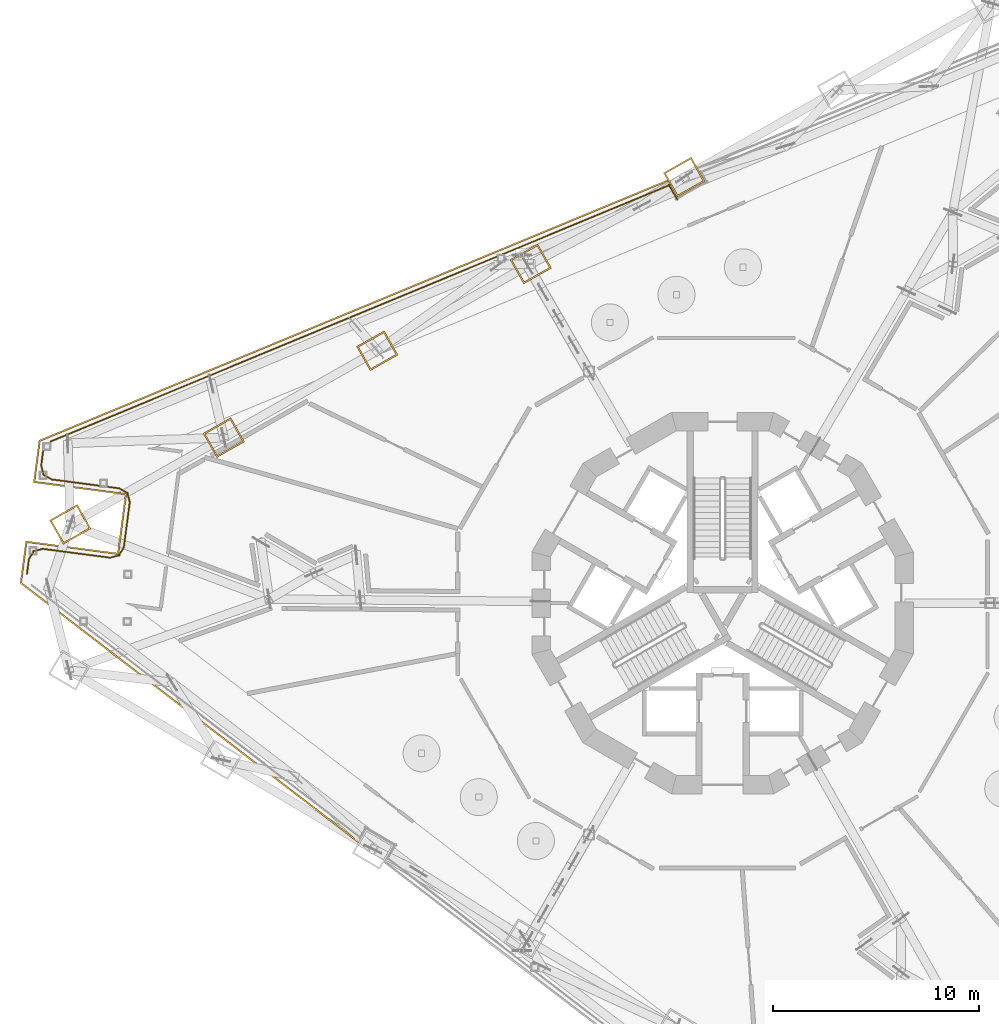
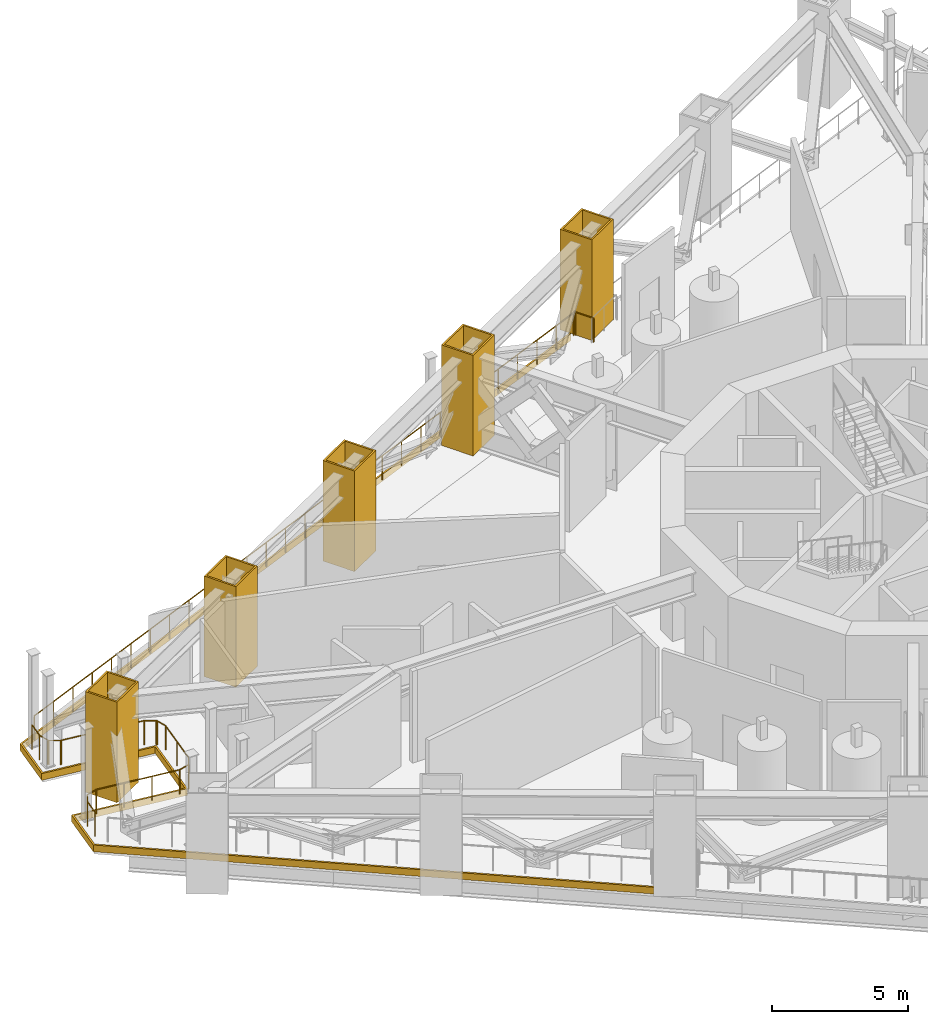
# One storey, part 20 of 23: 15 railings, 6 coverings.
"""IFC4 building model written with IfcOpenShell, lengths in metres."""

from ifc_helpers import new_model, si_unit, direction, frame, origin, origin_2d, place, context, subcontext, project, spatial, polyline, circle, outline, extrude, material, layer, layer_set, type_object, element, save


model = new_model("IFC4")

# Units and contexts
model_context = context("Model", 3, precision=1e-05, world=origin(), true_north=direction((0.0, 1.0)))
body_context = subcontext(model_context, "Body", "Model", "MODEL_VIEW")
ifc_project = project(units=[si_unit("LENGTHUNIT", "METRE"), si_unit("AREAUNIT", "SQUARE_METRE"), si_unit("VOLUMEUNIT", "CUBIC_METRE"), si_unit("PLANEANGLEUNIT", "RADIAN"), si_unit("MASSUNIT", "GRAM", prefix="KILO")], contexts=[model_context])

# Site, building, storey
site_placement = place(None, origin())
site = spatial("IfcSite", under=ifc_project, at=site_placement, CompositionType="ELEMENT")
building_placement = place(site_placement, origin())
building = spatial("IfcBuilding", under=site, at=building_placement, Name="Trine Commons Tower", CompositionType="ELEMENT")
storey_placement = place(building_placement, frame((0.0, 0.0, 156.60009765625)))
storey = spatial("IfcBuildingStorey", under=building, at=storey_placement, Name="L40", CompositionType="ELEMENT", Elevation=156.60009765625)

# Coverings
ifc_material_1 = material(Name="Limestone, honed", Category="masonry")
ifc_layer_1 = layer(ifc_material_1, 0.074951171875)
ifc_layer_set_1 = layer_set([ifc_layer_1], Name="Limestone, honed")
covering_type_1 = type_object("IfcCoveringType", Name="Limestone column cladding 75", PredefinedType="CLADDING", material=ifc_layer_set_1)
covering_1_placement = place(storey_placement, origin())
element("IfcCovering", 1, at=covering_1_placement, inside=storey, type_object=covering_type_1, Name="Limestone pier cladding 5-08", PredefinedType="CLADDING", context=body_context, shape_type="SweptSolid", body=[
    extrude(outline(polyline([(49.30322265625, 66.115478515625), (48.638427734375, 67.290283203125), (47.289306640625, 66.527099609375), (47.9541015625, 65.352294921875), (49.30322265625, 66.115478515625)]), holes=[polyline([(49.200927734375, 66.143798828125), (48.610107421875, 67.188232421875), (47.3916015625, 66.498779296875), (47.982421875, 65.454345703125), (49.200927734375, 66.143798828125)])]), origin(), (0.0, 0.0, 1.0), 4.5),
])
covering_2_placement = place(storey_placement, origin())
element("IfcCovering", 2, at=covering_2_placement, inside=storey, type_object=covering_type_1, Name="Limestone pier cladding 5-09", PredefinedType="CLADDING", context=body_context, shape_type="SweptSolid", body=[
    extrude(outline(polyline([(56.7626953125, 70.335693359375), (56.097900390625, 71.5107421875), (54.748779296875, 70.74755859375), (55.413818359375, 69.572509765625), (56.7626953125, 70.335693359375)]), holes=[polyline([(56.660400390625, 70.3642578125), (56.069580078125, 71.40869140625), (54.85107421875, 70.71923828125), (55.44189453125, 69.6748046875), (56.660400390625, 70.3642578125)])]), origin(), (0.0, 0.0, 1.0), 4.5),
])
covering_3_placement = place(storey_placement, origin())
element("IfcCovering", 3, at=covering_3_placement, inside=storey, type_object=covering_type_1, Name="Limestone pier cladding 5-10", PredefinedType="CLADDING", context=body_context, shape_type="SweptSolid", body=[
    extrude(outline(polyline([(64.22216796875, 74.55615234375), (63.557373046875, 75.731201171875), (62.208251953125, 74.968017578125), (62.873046875, 73.79296875), (64.22216796875, 74.55615234375)]), holes=[polyline([(64.119873046875, 74.58447265625), (63.529052734375, 75.62890625), (62.310546875, 74.939453125), (62.9013671875, 73.89501953125), (64.119873046875, 74.58447265625)])]), origin(), (0.0, 0.0, 1.0), 4.5),
])
covering_4_placement = place(storey_placement, origin())
element("IfcCovering", 4, at=covering_4_placement, inside=storey, type_object=covering_type_1, Name="Limestone pier cladding 5-11", PredefinedType="CLADDING", context=body_context, shape_type="SweptSolid", body=[
    extrude(outline(polyline([(71.681640625, 78.776611328125), (71.016845703125, 79.951416015625), (69.667724609375, 79.188232421875), (70.33251953125, 78.01318359375), (71.681640625, 78.776611328125)]), holes=[polyline([(71.579345703125, 78.804931640625), (70.988525390625, 79.849365234375), (69.77001953125, 79.159912109375), (70.36083984375, 78.115478515625), (71.579345703125, 78.804931640625)])]), origin(), (0.0, 0.0, 1.0), 4.5),
])
covering_5_placement = place(storey_placement, origin())
element("IfcCovering", 5, at=covering_5_placement, inside=storey, type_object=covering_type_1, Name="Limestone pier cladding 5-12", PredefinedType="CLADDING", context=body_context, shape_type="SweptSolid", body=[
    extrude(outline(polyline([(79.14111328125, 82.996826171875), (78.476318359375, 84.171875), (77.127197265625, 83.40869140625), (77.7919921875, 82.233642578125), (79.14111328125, 82.996826171875)]), holes=[polyline([(79.038818359375, 83.025390625), (78.447998046875, 84.069580078125), (77.2294921875, 83.38037109375), (77.8203125, 82.3359375), (79.038818359375, 83.025390625)])]), origin(), (0.0, 0.0, 1.0), 4.5),
])
ifc_layer_2 = layer(ifc_material_1, 0.074951171875)
ifc_layer_set_2 = layer_set([ifc_layer_2], Name="Limestone, honed")
covering_type_2 = type_object("IfcCoveringType", Name="Limestone spandrel panel 75", PredefinedType="CLADDING", material=ifc_layer_set_2)
covering_6_placement = place(storey_placement, frame((0.0, 0.0, -0.300048828125)))
element("IfcCovering", 6, at=covering_6_placement, inside=storey, type_object=covering_type_2, Name="Limestone spandrel panel 4-03", PredefinedType="CLADDING", context=body_context, shape_type="SweptSolid", body=[
    extrude(outline(polyline([(45.8515625, 63.4580078125), (62.28857421875, 50.845458984375), (62.326904296875, 50.91064453125), (45.931396484375, 63.4912109375), (46.187744140625, 65.4384765625), (50.6494140625, 64.85107421875), (51.041015625, 67.825439453125), (46.579345703125, 68.412841796875), (46.835693359375, 70.360107421875), (77.357177734375, 83.00244140625), (77.31982421875, 83.068359375), (46.76708984375, 70.412841796875), (46.495361328125, 68.348388671875), (50.956787109375, 67.760986328125), (50.584716796875, 64.935302734375), (46.123291015625, 65.522705078125), (45.8515625, 63.4580078125)])), origin(), (0.0, 0.0, 1.0), 0.300048828125),
])

# Railings
ifc_material_2 = material(Name="Stainless steel rail and posts", Category="steel")
railing_type = type_object("IfcRailingType", Name="Slot edge guard 1100", PredefinedType="GUARDRAIL", material=ifc_material_2)
railing_1_placement = place(storey_placement, frame((46.189208984375, 63.916015625, 0.0)))
element("IfcRailing", 7, at=railing_1_placement, inside=storey, type_object=railing_type, Name="Guard L40-07", PredefinedType="GUARDRAIL", context=body_context, shape_type="SweptSolid", body=[
    extrude(circle(Radius=0.02392578125, at=origin_2d()), frame((0.0, 0.0, 1.076171875), z_axis=(0.130410701329, 0.991460059195, 0.0), x_axis=(-0.991460059195, 0.130410701329, 0.0)), (0.0, 0.0, 1.0), 0.720703125),
    extrude(circle(Radius=0.02099609375, at=origin_2d()), origin(), (0.0, 0.0, 1.0), 1.052001953125),
    extrude(circle(Radius=0.02099609375, at=origin_2d()), frame((0.093994140625, 0.714599609375, 0.0)), (0.0, 0.0, 1.0), 1.052001953125),
])
railing_2_placement = place(storey_placement, frame((46.2763671875, 64.610107421875, 0.0)))
element("IfcRailing", 8, at=railing_2_placement, inside=storey, type_object=railing_type, Name="Guard L40-08", PredefinedType="GUARDRAIL", context=body_context, shape_type="SweptSolid", body=[
    extrude(circle(Radius=0.02392578125, at=origin_2d()), frame((0.0, 0.0, 1.076171875), z_axis=(0.500095379624, 0.865970329329, 0.0), x_axis=(-0.865970329329, 0.500095379624, 0.0)), (0.0, 0.0, 1.0), 0.4912109375),
    extrude(circle(Radius=0.02099609375, at=origin_2d()), origin(), (0.0, 0.0, 1.0), 1.052001953125),
    extrude(circle(Radius=0.02099609375, at=origin_2d()), frame((0.24560546875, 0.42529296875, 0.0)), (0.0, 0.0, 1.0), 1.052001953125),
])
railing_3_placement = place(storey_placement, frame((46.490478515625, 65.01123046875, 0.0)))
element("IfcRailing", 9, at=railing_3_placement, inside=storey, type_object=railing_type, Name="Guard L40-09", PredefinedType="GUARDRAIL", context=body_context, shape_type="SweptSolid", body=[
    extrude(circle(Radius=0.02392578125, at=origin_2d()), frame((0.0, 0.0, 1.076171875), z_axis=(0.965821615566, 0.259207652095, 0.0), x_axis=(-0.259207652095, 0.965821615566, 0.0)), (0.0, 0.0, 1.0), 0.49169921875),
    extrude(circle(Radius=0.02099609375, at=origin_2d()), origin(), (0.0, 0.0, 1.0), 1.052001953125),
    extrude(circle(Radius=0.02099609375, at=origin_2d()), frame((0.474853515625, 0.12744140625, 0.0)), (0.0, 0.0, 1.0), 1.052001953125),
])
railing_4_placement = place(storey_placement, frame((46.944091796875, 65.13720703125, 0.0)))
element("IfcRailing", 10, at=railing_4_placement, inside=storey, type_object=railing_type, Name="Guard L40-10", PredefinedType="GUARDRAIL", context=body_context, shape_type="SweptSolid", body=[
    extrude(circle(Radius=0.02392578125, at=origin_2d()), frame((0.0, 0.0, 1.076171875), z_axis=(0.991444787117, -0.130526756258, 0.0), x_axis=(0.130526756258, 0.991444787117, 0.0)), (0.0, 0.0, 1.0), 3.32177734375),
    extrude(circle(Radius=0.02099609375, at=origin_2d()), origin(), (0.0, 0.0, 1.0), 1.052001953125),
    extrude(circle(Radius=0.02099609375, at=origin_2d()), frame((1.097900390625, -0.14453125, 0.0)), (0.0, 0.0, 1.0), 1.052001953125),
    extrude(circle(Radius=0.02099609375, at=origin_2d()), frame((2.195556640625, -0.2890625, 0.0)), (0.0, 0.0, 1.0), 1.052001953125),
    extrude(circle(Radius=0.02099609375, at=origin_2d()), frame((3.29345703125, -0.43359375, 0.0)), (0.0, 0.0, 1.0), 1.052001953125),
])
railing_5_placement = place(storey_placement, frame((50.216796875, 64.702392578125, 0.0)))
element("IfcRailing", 11, at=railing_5_placement, inside=storey, type_object=railing_type, Name="Guard L40-11", PredefinedType="GUARDRAIL", context=body_context, shape_type="SweptSolid", body=[
    extrude(circle(Radius=0.02392578125, at=origin_2d()), frame((0.0, 0.0, 1.076171875), z_axis=(0.965879241764, 0.258992838373, 0.0), x_axis=(-0.258992838373, 0.965879241764, 0.0)), (0.0, 0.0, 1.0), 0.4912109375),
    extrude(circle(Radius=0.02099609375, at=origin_2d()), origin(), (0.0, 0.0, 1.0), 1.052001953125),
    extrude(circle(Radius=0.02099609375, at=origin_2d()), frame((0.474365234375, 0.127197265625, 0.0)), (0.0, 0.0, 1.0), 1.052001953125),
])
railing_6_placement = place(storey_placement, frame((50.65966796875, 64.805419921875, 0.0)))
element("IfcRailing", 12, at=railing_6_placement, inside=storey, type_object=railing_type, Name="Guard L40-12", PredefinedType="GUARDRAIL", context=body_context, shape_type="SweptSolid", body=[
    extrude(circle(Radius=0.02392578125, at=origin_2d()), frame((0.0, 0.0, 1.076171875), z_axis=(0.499665121384, 0.866218659735, 0.0), x_axis=(-0.866218659735, 0.499665121384, 0.0)), (0.0, 0.0, 1.0), 0.491455078125),
    extrude(circle(Radius=0.02099609375, at=origin_2d()), origin(), (0.0, 0.0, 1.0), 1.052001953125),
    extrude(circle(Radius=0.02099609375, at=origin_2d()), frame((0.24560546875, 0.42578125, 0.0)), (0.0, 0.0, 1.0), 1.052001953125),
])
railing_7_placement = place(storey_placement, frame((50.8984375, 65.211181640625, 0.0)))
element("IfcRailing", 13, at=railing_7_placement, inside=storey, type_object=railing_type, Name="Guard L40-13", PredefinedType="GUARDRAIL", context=body_context, shape_type="SweptSolid", body=[
    extrude(circle(Radius=0.02392578125, at=origin_2d()), frame((0.0, 0.0, 1.076171875), z_axis=(0.130551162655, 0.991441573634, 0.0), x_axis=(-0.991441573634, 0.130551162655, 0.0)), (0.0, 0.0, 1.0), 2.2216796875),
    extrude(circle(Radius=0.02099609375, at=origin_2d()), origin(), (0.0, 0.0, 1.0), 1.052001953125),
    extrude(circle(Radius=0.02099609375, at=origin_2d()), frame((0.14501953125, 1.101318359375, 0.0)), (0.0, 0.0, 1.0), 1.052001953125),
    extrude(circle(Radius=0.02099609375, at=origin_2d()), frame((0.2900390625, 2.20263671875, 0.0)), (0.0, 0.0, 1.0), 1.052001953125),
])
railing_8_placement = place(storey_placement, frame((51.189697265625, 67.392333984375, 0.0)))
element("IfcRailing", 14, at=railing_8_placement, inside=storey, type_object=railing_type, Name="Guard L40-14", PredefinedType="GUARDRAIL", context=body_context, shape_type="SweptSolid", body=[
    extrude(circle(Radius=0.02392578125, at=origin_2d()), frame((0.0, 0.0, 1.076171875), z_axis=(-0.25849634074, 0.966012236891, 0.0), x_axis=(-0.966012236891, -0.25849634074, 0.0)), (0.0, 0.0, 1.0), 0.4921875),
    extrude(circle(Radius=0.02099609375, at=origin_2d()), origin(), (0.0, 0.0, 1.0), 1.052001953125),
    extrude(circle(Radius=0.02099609375, at=origin_2d()), frame((-0.127197265625, 0.475341796875, 0.0)), (0.0, 0.0, 1.0), 1.052001953125),
])
railing_9_placement = place(storey_placement, frame((51.0869140625, 67.835693359375, 0.0)))
element("IfcRailing", 15, at=railing_9_placement, inside=storey, type_object=railing_type, Name="Guard L40-15", PredefinedType="GUARDRAIL", context=body_context, shape_type="SweptSolid", body=[
    extrude(circle(Radius=0.02392578125, at=origin_2d()), frame((0.0, 0.0, 1.076171875), z_axis=(-0.866218659735, 0.499665121384, 0.0), x_axis=(-0.499665121384, -0.866218659735, 0.0)), (0.0, 0.0, 1.0), 0.491455078125),
    extrude(circle(Radius=0.02099609375, at=origin_2d()), origin(), (0.0, 0.0, 1.0), 1.052001953125),
    extrude(circle(Radius=0.02099609375, at=origin_2d()), frame((-0.42578125, 0.24560546875, 0.0)), (0.0, 0.0, 1.0), 1.052001953125),
])
railing_10_placement = place(storey_placement, frame((50.6806640625, 68.07470703125, 0.0)))
element("IfcRailing", 16, at=railing_10_placement, inside=storey, type_object=railing_type, Name="Guard L40-16", PredefinedType="GUARDRAIL", context=body_context, shape_type="SweptSolid", body=[
    extrude(circle(Radius=0.02392578125, at=origin_2d()), frame((0.0, 0.0, 1.076171875), z_axis=(-0.991450541989, 0.130483036408, 0.0), x_axis=(-0.130483036408, -0.991450541989, 0.0)), (0.0, 0.0, 1.0), 3.321044921875),
    extrude(circle(Radius=0.02099609375, at=origin_2d()), origin(), (0.0, 0.0, 1.0), 1.052001953125),
    extrude(circle(Radius=0.02099609375, at=origin_2d()), frame((-1.09765625, 0.14453125, 0.0)), (0.0, 0.0, 1.0), 1.052001953125),
    extrude(circle(Radius=0.02099609375, at=origin_2d()), frame((-2.195068359375, 0.288818359375, 0.0)), (0.0, 0.0, 1.0), 1.052001953125),
    extrude(circle(Radius=0.02099609375, at=origin_2d()), frame((-3.292724609375, 0.433349609375, 0.0)), (0.0, 0.0, 1.0), 1.052001953125),
])
railing_11_placement = place(storey_placement, frame((47.40771484375, 68.50146484375, 0.0)))
element("IfcRailing", 17, at=railing_11_placement, inside=storey, type_object=railing_type, Name="Guard L40-17", PredefinedType="GUARDRAIL", context=body_context, shape_type="SweptSolid", body=[
    extrude(circle(Radius=0.02392578125, at=origin_2d()), frame((0.0, 0.0, 1.076171875), z_axis=(-0.865970329329, 0.500095379624, 0.0), x_axis=(-0.500095379624, -0.865970329329, 0.0)), (0.0, 0.0, 1.0), 0.4912109375),
    extrude(circle(Radius=0.02099609375, at=origin_2d()), origin(), (0.0, 0.0, 1.0), 1.052001953125),
    extrude(circle(Radius=0.02099609375, at=origin_2d()), frame((-0.42529296875, 0.24560546875, 0.0)), (0.0, 0.0, 1.0), 1.052001953125),
])
railing_12_placement = place(storey_placement, frame((47.006591796875, 68.7158203125, 0.0)))
element("IfcRailing", 18, at=railing_12_placement, inside=storey, type_object=railing_type, Name="Guard L40-18", PredefinedType="GUARDRAIL", context=body_context, shape_type="SweptSolid", body=[
    extrude(circle(Radius=0.02392578125, at=origin_2d()), frame((0.0, 0.0, 1.076171875), z_axis=(-0.258868541663, 0.965912562366, 0.0), x_axis=(-0.965912562366, -0.258868541663, 0.0)), (0.0, 0.0, 1.0), 0.491455078125),
    extrude(circle(Radius=0.02099609375, at=origin_2d()), origin(), (0.0, 0.0, 1.0), 1.052001953125),
    extrude(circle(Radius=0.02099609375, at=origin_2d()), frame((-0.127197265625, 0.474609375, 0.0)), (0.0, 0.0, 1.0), 1.052001953125),
])
railing_13_placement = place(storey_placement, frame((46.880615234375, 69.169189453125, 0.0)))
element("IfcRailing", 19, at=railing_13_placement, inside=storey, type_object=railing_type, Name="Guard L40-19", PredefinedType="GUARDRAIL", context=body_context, shape_type="SweptSolid", body=[
    extrude(circle(Radius=0.02392578125, at=origin_2d()), frame((0.0, 0.0, 1.076171875), z_axis=(0.130743647594, 0.991416208569, 0.0), x_axis=(-0.991416208569, 0.130743647594, 0.0)), (0.0, 0.0, 1.0), 0.720703125),
    extrude(circle(Radius=0.02099609375, at=origin_2d()), origin(), (0.0, 0.0, 1.0), 1.052001953125),
    extrude(circle(Radius=0.02099609375, at=origin_2d()), frame((0.09423828125, 0.714599609375, 0.0)), (0.0, 0.0, 1.0), 1.052001953125),
])
railing_14_placement = place(storey_placement, frame((47.33251953125, 70.349365234375, 0.0)))
element("IfcRailing", 20, at=railing_14_placement, inside=storey, type_object=railing_type, Name="Guard L40-22", PredefinedType="GUARDRAIL", context=body_context, shape_type="SweptSolid", body=[
    extrude(circle(Radius=0.02392578125, at=origin_2d()), frame((0.0, 0.0, 1.076171875), z_axis=(0.923877228843, 0.382688993865, 0.0), x_axis=(-0.382688993865, 0.923877228843, 0.0)), (0.0, 0.0, 1.0), 32.59033203125),
    extrude(circle(Radius=0.02099609375, at=origin_2d()), origin(), (0.0, 0.0, 1.0), 1.052001953125),
    extrude(circle(Radius=0.02099609375, at=origin_2d()), frame((1.075439453125, 0.4453125, 0.0)), (0.0, 0.0, 1.0), 1.052001953125),
    extrude(circle(Radius=0.02099609375, at=origin_2d()), frame((2.150634765625, 0.890869140625, 0.0)), (0.0, 0.0, 1.0), 1.052001953125),
    extrude(circle(Radius=0.02099609375, at=origin_2d()), frame((3.22607421875, 1.336181640625, 0.0)), (0.0, 0.0, 1.0), 1.052001953125),
    extrude(circle(Radius=0.02099609375, at=origin_2d()), frame((4.30126953125, 1.78173828125, 0.0)), (0.0, 0.0, 1.0), 1.052001953125),
    extrude(circle(Radius=0.02099609375, at=origin_2d()), frame((5.376708984375, 2.22705078125, 0.0)), (0.0, 0.0, 1.0), 1.052001953125),
    extrude(circle(Radius=0.02099609375, at=origin_2d()), frame((6.451904296875, 2.672607421875, 0.0)), (0.0, 0.0, 1.0), 1.052001953125),
    extrude(circle(Radius=0.02099609375, at=origin_2d()), frame((7.52734375, 3.117919921875, 0.0)), (0.0, 0.0, 1.0), 1.052001953125),
    extrude(circle(Radius=0.02099609375, at=origin_2d()), frame((8.602783203125, 3.5634765625, 0.0)), (0.0, 0.0, 1.0), 1.052001953125),
    extrude(circle(Radius=0.02099609375, at=origin_2d()), frame((9.677978515625, 4.0087890625, 0.0)), (0.0, 0.0, 1.0), 1.052001953125),
    extrude(circle(Radius=0.02099609375, at=origin_2d()), frame((10.75341796875, 4.454345703125, 0.0)), (0.0, 0.0, 1.0), 1.052001953125),
    extrude(circle(Radius=0.02099609375, at=origin_2d()), frame((11.82861328125, 4.899658203125, 0.0)), (0.0, 0.0, 1.0), 1.052001953125),
    extrude(circle(Radius=0.02099609375, at=origin_2d()), frame((12.904052734375, 5.34521484375, 0.0)), (0.0, 0.0, 1.0), 1.052001953125),
    extrude(circle(Radius=0.02099609375, at=origin_2d()), frame((13.979248046875, 5.79052734375, 0.0)), (0.0, 0.0, 1.0), 1.052001953125),
    extrude(circle(Radius=0.02099609375, at=origin_2d()), frame((15.0546875, 6.23583984375, 0.0)), (0.0, 0.0, 1.0), 1.052001953125),
    extrude(circle(Radius=0.02099609375, at=origin_2d()), frame((16.130126953125, 6.681396484375, 0.0)), (0.0, 0.0, 1.0), 1.052001953125),
    extrude(circle(Radius=0.02099609375, at=origin_2d()), frame((17.205322265625, 7.126708984375, 0.0)), (0.0, 0.0, 1.0), 1.052001953125),
    extrude(circle(Radius=0.02099609375, at=origin_2d()), frame((18.28076171875, 7.572265625, 0.0)), (0.0, 0.0, 1.0), 1.052001953125),
    extrude(circle(Radius=0.02099609375, at=origin_2d()), frame((19.35595703125, 8.017578125, 0.0)), (0.0, 0.0, 1.0), 1.052001953125),
    extrude(circle(Radius=0.02099609375, at=origin_2d()), frame((20.431396484375, 8.463134765625, 0.0)), (0.0, 0.0, 1.0), 1.052001953125),
    extrude(circle(Radius=0.02099609375, at=origin_2d()), frame((21.506591796875, 8.908447265625, 0.0)), (0.0, 0.0, 1.0), 1.052001953125),
    extrude(circle(Radius=0.02099609375, at=origin_2d()), frame((22.58203125, 9.35400390625, 0.0)), (0.0, 0.0, 1.0), 1.052001953125),
    extrude(circle(Radius=0.02099609375, at=origin_2d()), frame((23.657470703125, 9.79931640625, 0.0)), (0.0, 0.0, 1.0), 1.052001953125),
    extrude(circle(Radius=0.02099609375, at=origin_2d()), frame((24.732666015625, 10.244873046875, 0.0)), (0.0, 0.0, 1.0), 1.052001953125),
    extrude(circle(Radius=0.02099609375, at=origin_2d()), frame((25.80810546875, 10.690185546875, 0.0)), (0.0, 0.0, 1.0), 1.052001953125),
    extrude(circle(Radius=0.02099609375, at=origin_2d()), frame((26.88330078125, 11.1357421875, 0.0)), (0.0, 0.0, 1.0), 1.052001953125),
    extrude(circle(Radius=0.02099609375, at=origin_2d()), frame((27.958740234375, 11.5810546875, 0.0)), (0.0, 0.0, 1.0), 1.052001953125),
    extrude(circle(Radius=0.02099609375, at=origin_2d()), frame((29.033935546875, 12.026611328125, 0.0)), (0.0, 0.0, 1.0), 1.052001953125),
    extrude(circle(Radius=0.02099609375, at=origin_2d()), frame((30.109375, 12.471923828125, 0.0)), (0.0, 0.0, 1.0), 1.052001953125),
])
railing_15_placement = place(storey_placement, frame((77.37841796875, 82.843017578125, 0.0)))
element("IfcRailing", 21, at=railing_15_placement, inside=storey, type_object=railing_type, Name="Guard L40-23", PredefinedType="GUARDRAIL", context=body_context, shape_type="SweptSolid", body=[
    extrude(circle(Radius=0.02392578125, at=origin_2d()), frame((0.0, 0.0, 1.076171875), z_axis=(0.492400004757, -0.870369022493, 0.0), x_axis=(0.870369022493, 0.492400004757, 0.0)), (0.0, 0.0, 1.0), 0.844970703125),
    extrude(circle(Radius=0.02099609375, at=origin_2d()), origin(), (0.0, 0.0, 1.0), 1.052001953125),
    extrude(circle(Radius=0.02099609375, at=origin_2d()), frame((0.416015625, -0.7353515625, 0.0)), (0.0, 0.0, 1.0), 1.052001953125),
])

save(model, "model.ifc")
